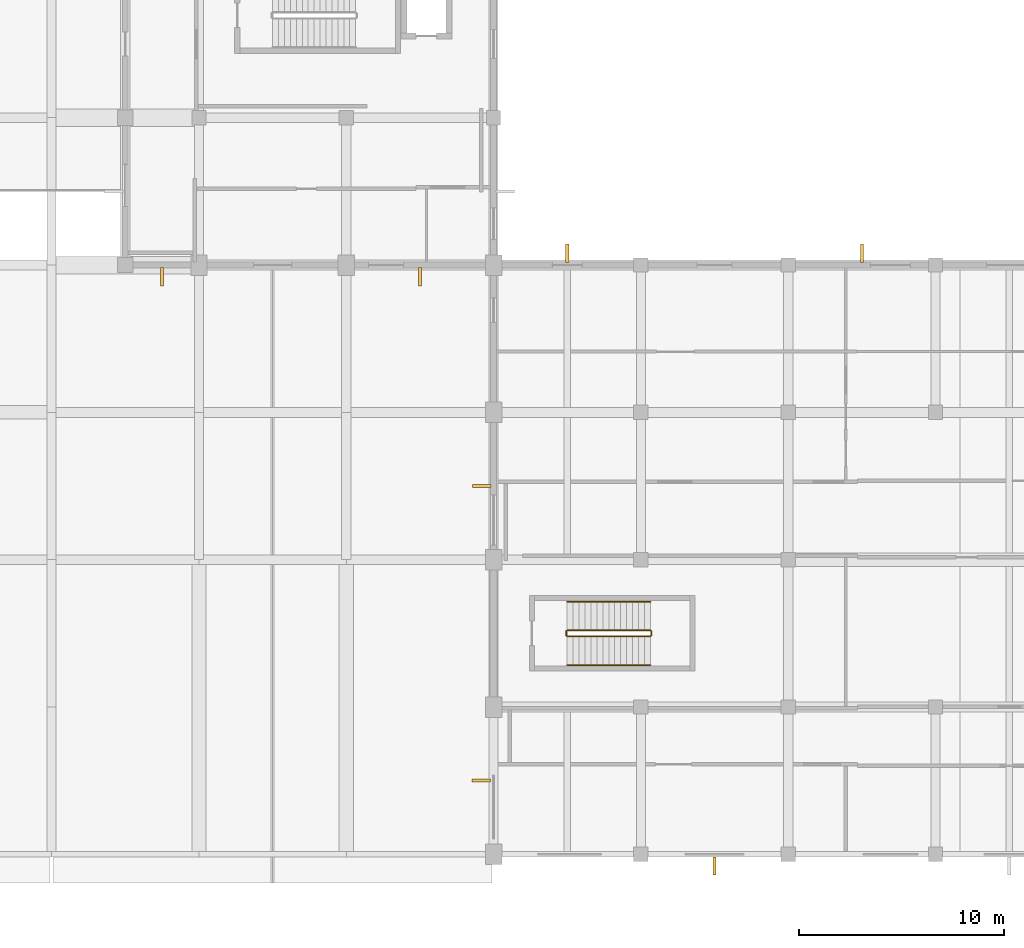
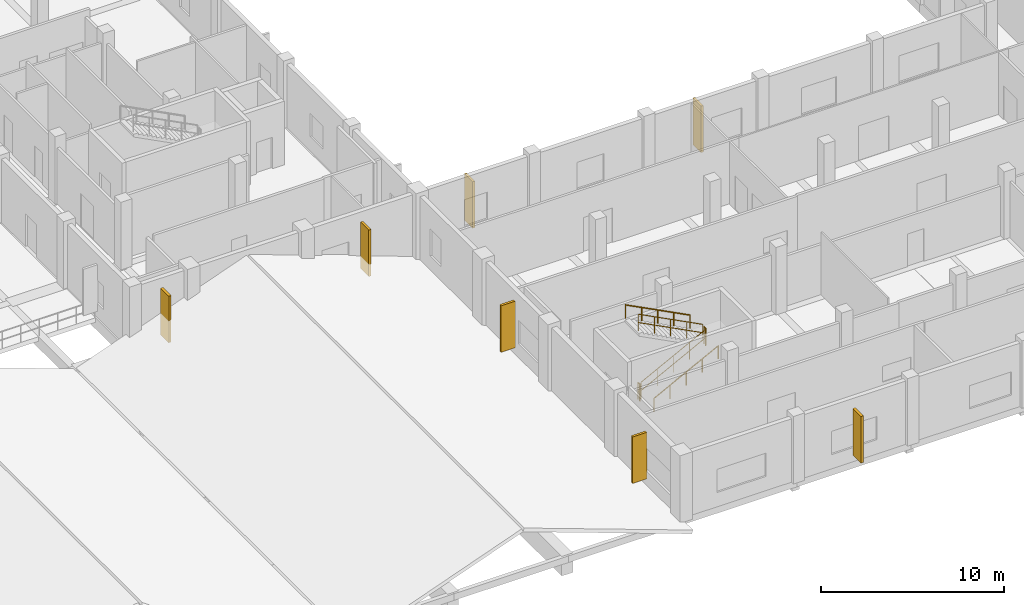
# One storey, part 19 of 24: 7 shading devices, 6 railings.
"""IFC4 building model written with IfcOpenShell, lengths in metres."""

from ifc_helpers import new_model, si_unit, direction, frame, origin, origin_2d, place, context, subcontext, project, spatial, rectangle, circle, extrude, material, type_object, element, save


model = new_model("IFC4")

# Units and contexts
model_context = context("Model", 3, precision=1e-05, world=origin(), true_north=direction((0.0, 1.0)))
body_context = subcontext(model_context, "Body", "Model", "MODEL_VIEW")
ifc_project = project(units=[si_unit("LENGTHUNIT", "METRE"), si_unit("AREAUNIT", "SQUARE_METRE"), si_unit("VOLUMEUNIT", "CUBIC_METRE"), si_unit("PLANEANGLEUNIT", "RADIAN"), si_unit("MASSUNIT", "GRAM", prefix="KILO")], contexts=[model_context])

# Site, building, storey
site_placement = place(None, origin())
site = spatial("IfcSite", under=ifc_project, at=site_placement, CompositionType="ELEMENT")
building_placement = place(site_placement, origin())
building = spatial("IfcBuilding", under=site, at=building_placement, Name="Seraya Terrace Polytechnic", CompositionType="ELEMENT")
storey_placement = place(building_placement, frame((0.0, 0.0, 18.89990234375)))
storey = spatial("IfcBuildingStorey", under=building, at=storey_placement, Name="L04", CompositionType="ELEMENT", Elevation=18.89990234375)

# Shading devices
ifc_material_1 = material(Name="Precast concrete C40/50", Category="concrete")
shading_device_type = type_object("IfcShadingDeviceType", Name="BS-F1", PredefinedType="JALOUSIE", material=ifc_material_1)
for number, where, z_axis, x_axis, name in (
    (1, (54.0, -0.570068359375, 0.449951171875), (0.0, 0.0, 1.0), (0.0, -1.0, 0.0), "Precast concrete brise-soleil fin L04"),
    (2, (42.60498046875, 3.60009765625, 0.449951171875), (0.0, 0.0, 1.0), (-1.0, 0.0, 0.0), "Precast concrete brise-soleil fin L04"),
    (3, (42.6298828125, 18.0, 0.449951171875), (0.0, 0.0, 1.0), (-1.0, 0.0, 0.0), "Precast concrete brise-soleil fin L04"),
    (4, (46.800048828125, 29.3701171875, 0.449951171875), (0.0, 0.0, 1.0), (0.0, 1.0, 0.0), "Precast concrete brise-soleil fin L04"),
    (5, (61.199951171875, 29.3701171875, 0.449951171875), (0.0, 0.0, 1.0), (0.0, 1.0, 0.0), "Precast concrete brise-soleil fin L04"),
    (6, (39.60009765625, 28.22998046875, 0.449951171875), (0.0, 0.0, 1.0), (0.0, -1.0, 0.0), "Precast concrete brise-soleil fin L04"),
    (7, (27.0, 28.22998046875, 0.449951171875), (0.0, 0.0, 1.0), (0.0, -1.0, 0.0), "Precast concrete brise-soleil fin L04"),
):
    element("IfcShadingDevice", number, at=place(storey_placement, frame(where, z_axis=z_axis, x_axis=x_axis)), inside=storey, type_object=shading_device_type, Name=name, PredefinedType="JALOUSIE", context=body_context, shape_type="SweptSolid", body=[
        extrude(rectangle(XDim=0.89990234375, YDim=0.14990234375, at=origin_2d()), origin(), (0.0, 0.0, 1.0), 3.10009765625),
    ])

# Railings
ifc_material_2 = material(Name="Steel S355J2", Category="steel")
railing_type_1 = type_object("IfcRailingType", Name="GR-02", PredefinedType="GUARDRAIL", material=ifc_material_2)
railing_1_placement = place(storey_placement, frame((46.800048828125, 10.64990234375, 0.150146484375)))
element("IfcRailing", 8, at=railing_1_placement, inside=storey, type_object=railing_type_1, Name="L04 ST-03 stair guard 1", PredefinedType="GUARDRAIL", context=body_context, shape_type="SweptSolid", body=[
    extrude(circle(Radius=0.02392578125, at=origin_2d()), frame((0.0, 0.0, 1.10595703125), z_axis=(0.888233425583, 0.0, 0.459392404897), x_axis=(0.0, 1.0, 0.0)), (0.0, 0.0, 1.0), 4.571044921875),
    extrude(circle(Radius=0.02392578125, at=origin_2d()), frame((0.0, 0.0, 0.550048828125), z_axis=(0.888233425583, 0.0, 0.459392404897), x_axis=(0.0, 1.0, 0.0)), (0.0, 0.0, 1.0), 4.571044921875),
    extrude(circle(Radius=0.02099609375, at=origin_2d()), origin(), (0.0, 0.0, 1.0), 1.081787109375),
    extrude(circle(Radius=0.02099609375, at=origin_2d()), frame((1.01513671875, 0.0, 0.52490234375)), (0.0, 0.0, 1.0), 1.081787109375),
    extrude(circle(Radius=0.02099609375, at=origin_2d()), frame((2.030029296875, 0.0, 1.0498046875)), (0.0, 0.0, 1.0), 1.081787109375),
    extrude(circle(Radius=0.02099609375, at=origin_2d()), frame((3.044921875, 0.0, 1.574951171875)), (0.0, 0.0, 1.0), 1.081787109375),
    extrude(circle(Radius=0.02099609375, at=origin_2d()), frame((4.06005859375, 0.0, 2.099853515625)), (0.0, 0.0, 1.0), 1.081787109375),
])
railing_2_placement = place(storey_placement, frame((50.909912109375, 10.699951171875, 2.25)))
element("IfcRailing", 9, at=railing_2_placement, inside=storey, type_object=railing_type_1, Name="L04 ST-03 stair guard 2", PredefinedType="GUARDRAIL", context=body_context, shape_type="SweptSolid", body=[
    extrude(circle(Radius=0.02392578125, at=origin_2d()), frame((0.0, 0.0, 1.10595703125), z_axis=(0.0, 1.0, 0.0), x_axis=(-1.0, 0.0, 0.0)), (0.0, 0.0, 1.0), 0.199951171875),
    extrude(circle(Radius=0.02392578125, at=origin_2d()), frame((0.0, 0.0, 0.550048828125), z_axis=(0.0, 1.0, 0.0), x_axis=(-1.0, 0.0, 0.0)), (0.0, 0.0, 1.0), 0.199951171875),
    extrude(circle(Radius=0.02099609375, at=origin_2d()), origin(), (0.0, 0.0, 1.0), 1.081787109375),
    extrude(circle(Radius=0.02099609375, at=origin_2d()), frame((0.0, 0.199951171875, 0.0)), (0.0, 0.0, 1.0), 1.081787109375),
])
railing_3_placement = place(storey_placement, frame((50.860107421875, 10.949951171875, 2.400146484375)))
element("IfcRailing", 10, at=railing_3_placement, inside=storey, type_object=railing_type_1, Name="L04 ST-03 stair guard 3", PredefinedType="GUARDRAIL", context=body_context, shape_type="SweptSolid", body=[
    extrude(circle(Radius=0.02392578125, at=origin_2d()), frame((0.0, 0.0, 1.10595703125), z_axis=(-0.888233425583, 0.0, 0.459392404897), x_axis=(0.0, -1.0, 0.0)), (0.0, 0.0, 1.0), 4.571044921875),
    extrude(circle(Radius=0.02392578125, at=origin_2d()), frame((0.0, 0.0, 0.550048828125), z_axis=(-0.888233425583, 0.0, 0.459392404897), x_axis=(0.0, -1.0, 0.0)), (0.0, 0.0, 1.0), 4.571044921875),
    extrude(circle(Radius=0.02099609375, at=origin_2d()), origin(), (0.0, 0.0, 1.0), 1.081787109375),
    extrude(circle(Radius=0.02099609375, at=origin_2d()), frame((-1.01513671875, 0.0, 0.52490234375)), (0.0, 0.0, 1.0), 1.081787109375),
    extrude(circle(Radius=0.02099609375, at=origin_2d()), frame((-2.030029296875, 0.0, 1.0498046875)), (0.0, 0.0, 1.0), 1.081787109375),
    extrude(circle(Radius=0.02099609375, at=origin_2d()), frame((-3.044921875, 0.0, 1.574951171875)), (0.0, 0.0, 1.0), 1.081787109375),
    extrude(circle(Radius=0.02099609375, at=origin_2d()), frame((-4.06005859375, 0.0, 2.099853515625)), (0.0, 0.0, 1.0), 1.081787109375),
])
railing_4_placement = place(storey_placement, frame((46.75, 10.699951171875, 0.0)))
element("IfcRailing", 11, at=railing_4_placement, inside=storey, type_object=railing_type_1, Name="L04 ST-03 stair guard 4", PredefinedType="GUARDRAIL", context=body_context, shape_type="SweptSolid", body=[
    extrude(circle(Radius=0.02392578125, at=origin_2d()), frame((0.0, 0.0, 1.10595703125), z_axis=(0.0, 1.0, 0.0), x_axis=(-1.0, 0.0, 0.0)), (0.0, 0.0, 1.0), 0.199951171875),
    extrude(circle(Radius=0.02392578125, at=origin_2d()), frame((0.0, 0.0, 0.550048828125), z_axis=(0.0, 1.0, 0.0), x_axis=(-1.0, 0.0, 0.0)), (0.0, 0.0, 1.0), 0.199951171875),
    extrude(circle(Radius=0.02099609375, at=origin_2d()), origin(), (0.0, 0.0, 1.0), 1.081787109375),
    extrude(circle(Radius=0.02099609375, at=origin_2d()), frame((0.0, 0.199951171875, 0.0)), (0.0, 0.0, 1.0), 1.081787109375),
])
railing_type_2 = type_object("IfcRailingType", Name="HR-01", PredefinedType="HANDRAIL", material=ifc_material_2)
railing_5_placement = place(storey_placement, frame((46.800048828125, 9.25, 0.150146484375)))
element("IfcRailing", 12, at=railing_5_placement, inside=storey, type_object=railing_type_2, Name="L04 ST-03 stair handrail 1", PredefinedType="HANDRAIL", context=body_context, shape_type="SweptSolid", body=[
    extrude(circle(Radius=0.02392578125, at=origin_2d()), frame((0.0, 0.0, 0.8759765625), z_axis=(0.888233425583, 0.0, 0.459392404897), x_axis=(0.0, 1.0, 0.0)), (0.0, 0.0, 1.0), 4.571044921875),
    extrude(circle(Radius=0.02099609375, at=origin_2d()), origin(), (0.0, 0.0, 1.0), 0.851806640625),
    extrude(circle(Radius=0.02099609375, at=origin_2d()), frame((1.01513671875, 0.0, 0.52490234375)), (0.0, 0.0, 1.0), 0.851806640625),
    extrude(circle(Radius=0.02099609375, at=origin_2d()), frame((2.030029296875, 0.0, 1.0498046875)), (0.0, 0.0, 1.0), 0.851806640625),
    extrude(circle(Radius=0.02099609375, at=origin_2d()), frame((3.044921875, 0.0, 1.574951171875)), (0.0, 0.0, 1.0), 0.851806640625),
    extrude(circle(Radius=0.02099609375, at=origin_2d()), frame((4.06005859375, 0.0, 2.099853515625)), (0.0, 0.0, 1.0), 0.851806640625),
])
railing_6_placement = place(storey_placement, frame((50.860107421875, 12.35009765625, 2.400146484375)))
element("IfcRailing", 13, at=railing_6_placement, inside=storey, type_object=railing_type_2, Name="L04 ST-03 stair handrail 2", PredefinedType="HANDRAIL", context=body_context, shape_type="SweptSolid", body=[
    extrude(circle(Radius=0.02392578125, at=origin_2d()), frame((0.0, 0.0, 0.8759765625), z_axis=(-0.888233425583, 0.0, 0.459392404897), x_axis=(0.0, -1.0, 0.0)), (0.0, 0.0, 1.0), 4.571044921875),
    extrude(circle(Radius=0.02099609375, at=origin_2d()), origin(), (0.0, 0.0, 1.0), 0.851806640625),
    extrude(circle(Radius=0.02099609375, at=origin_2d()), frame((-1.01513671875, 0.0, 0.52490234375)), (0.0, 0.0, 1.0), 0.851806640625),
    extrude(circle(Radius=0.02099609375, at=origin_2d()), frame((-2.030029296875, 0.0, 1.0498046875)), (0.0, 0.0, 1.0), 0.851806640625),
    extrude(circle(Radius=0.02099609375, at=origin_2d()), frame((-3.044921875, 0.0, 1.574951171875)), (0.0, 0.0, 1.0), 0.851806640625),
    extrude(circle(Radius=0.02099609375, at=origin_2d()), frame((-4.06005859375, 0.0, 2.099853515625)), (0.0, 0.0, 1.0), 0.851806640625),
])

save(model, "model.ifc")
